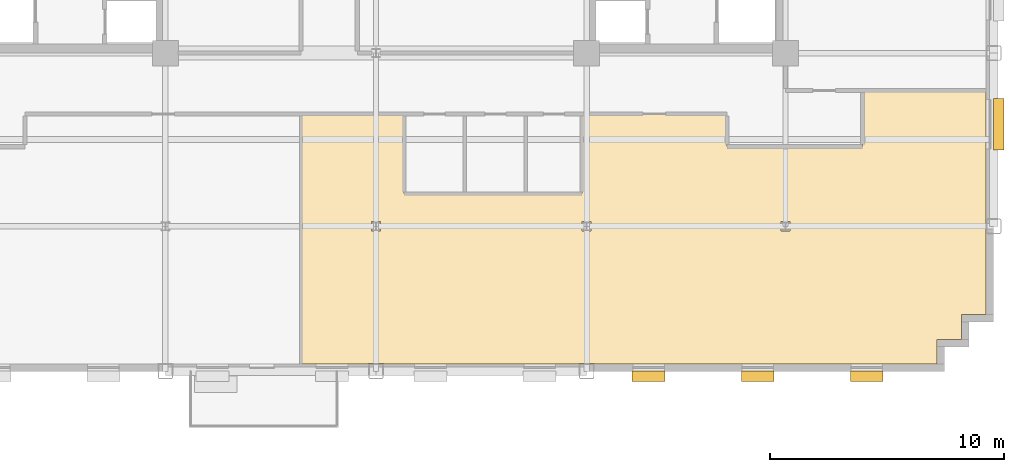
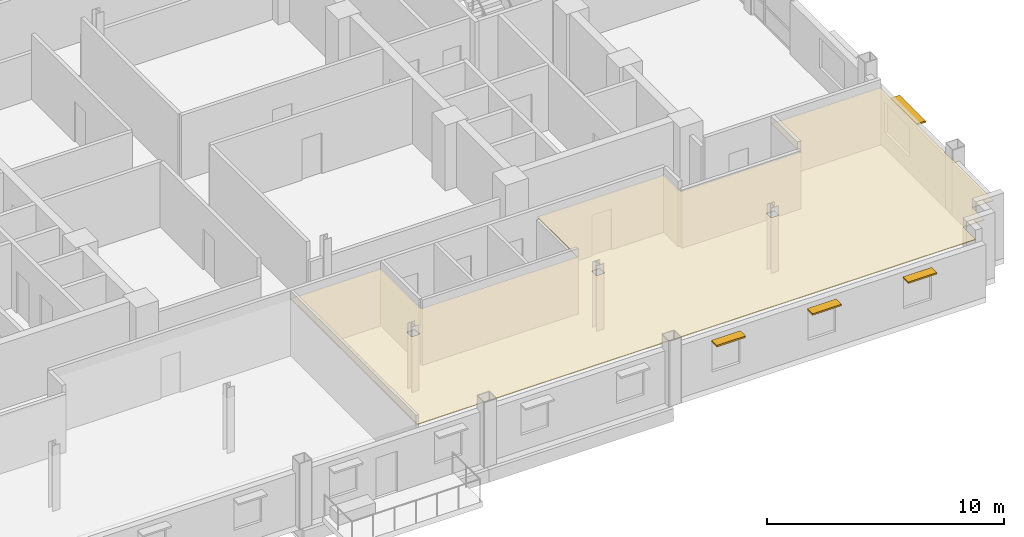
# One storey, part 15 of 17: 4 shading devices, 1 covering.
"""IFC4 building model written with IfcOpenShell, lengths in metres."""

from ifc_helpers import new_model, si_unit, direction, frame, origin, origin_2d, place, context, subcontext, project, spatial, polyline, rectangle, outline, extrude, source, transform, mapped, material, layer, layer_set, type_object, type_shapes, element, save


model = new_model("IFC4")

# Units and contexts
model_context = context("Model", 3, precision=1e-05, world=origin(), true_north=direction((0.0, 1.0)))
body_context = subcontext(model_context, "Body", "Model", "MODEL_VIEW")
ifc_project = project(units=[si_unit("LENGTHUNIT", "METRE"), si_unit("AREAUNIT", "SQUARE_METRE"), si_unit("VOLUMEUNIT", "CUBIC_METRE"), si_unit("PLANEANGLEUNIT", "RADIAN"), si_unit("MASSUNIT", "GRAM", prefix="KILO")], contexts=[model_context])

# Site, building, storey
site_placement = place(None, origin())
site = spatial("IfcSite", under=ifc_project, at=site_placement, CompositionType="ELEMENT")
building_placement = place(site_placement, origin())
building = spatial("IfcBuilding", under=site, at=building_placement, Name="Nuvemarco Arch Tower", CompositionType="ELEMENT")
storey_placement = place(building_placement, frame((0.0, 0.0, 120.199951171875)))
storey = spatial("IfcBuildingStorey", under=building, at=storey_placement, Name="L31", CompositionType="ELEMENT", Elevation=120.199951171875)

# Covering
ifc_material_1 = material(Name="Mineral acoustic ceiling tile")
ifc_layer = layer(ifc_material_1, 0.0400390625, Name="COV-ACOUSTIC-CLG")
ifc_layer_set = layer_set([ifc_layer], Name="Mineral acoustic ceiling tile")
covering_type = type_object("IfcCoveringType", Name="COV-ACOUSTIC-CLG", PredefinedType="CEILING", material=ifc_layer_set)
covering_placement = place(storey_placement, frame((0.0, 0.0, 2.85009765625)))
element("IfcCovering", 1, at=covering_placement, inside=storey, type_object=covering_type, Name="L31 suspended acoustic ceiling 2", PredefinedType="CEILING", context=body_context, shape_type="SweptSolid", body=[
    extrude(outline(polyline([(23.97998046875, -22.8798828125), (9.340087890625, -22.8798828125), (9.340087890625, -22.860107421875), (8.659912109375, -22.860107421875), (8.659912109375, -22.8798828125), (0.340087890625, -22.8798828125), (0.340087890625, -22.860107421875), (-0.340087890625, -22.860107421875), (-0.340087890625, -22.8798828125), (-3.199951171875, -22.8798828125), (-3.199951171875, -12.199951171875), (-0.800048828125, -12.199951171875), (1.199951171875, -12.199951171875), (1.199951171875, -15.60009765625), (3.800048828125, -15.60009765625), (6.39990234375, -15.60009765625), (8.800048828125, -15.60009765625), (8.800048828125, -12.199951171875), (15.0, -12.199951171875), (15.0, -13.60009765625), (20.800048828125, -13.60009765625), (20.800048828125, -11.199951171875), (26.080078125, -11.199951171875), (26.080078125, -16.659912109375), (26.06005859375, -16.659912109375), (26.06005859375, -17.340087890625), (26.080078125, -17.340087890625), (26.080078125, -20.780029296875), (25.030029296875, -20.780029296875), (25.030029296875, -21.830078125), (23.97998046875, -21.830078125), (23.97998046875, -22.8798828125)]), holes=[polyline([(0.195068359375, -17.195068359375), (0.195068359375, -16.804931640625), (-0.195068359375, -16.804931640625), (-0.195068359375, -17.195068359375), (0.195068359375, -17.195068359375)]), polyline([(9.195068359375, -17.195068359375), (9.195068359375, -16.804931640625), (8.804931640625, -16.804931640625), (8.804931640625, -17.195068359375), (9.195068359375, -17.195068359375)]), polyline([(17.695068359375, -17.195068359375), (17.695068359375, -16.804931640625), (17.304931640625, -16.804931640625), (17.304931640625, -17.195068359375), (17.695068359375, -17.195068359375)])]), origin(), (0.0, 0.0, 1.0), 0.0400390625),
])

# Shading devices
ifc_material_2 = material(Name="Anodised aluminium 6063-T6", Category="aluminium")
shading_device_type_1 = type_object("IfcShadingDeviceType", Name="SHD-BRISE-SOLEIL", PredefinedType="USERDEFINED", material=ifc_material_2)
shared_shape_1 = source(origin(), body_context, "Body", "SweptSolid", [
    extrude(rectangle(XDim=2.199951171875, YDim=0.449951171875, at=origin_2d()), origin(), (0.0, 0.0, 1.0), 0.080078125),
])
type_shapes(shading_device_type_1, [shared_shape_1])
shading_device_placement = place(storey_placement, frame((26.614990234375, -12.64208984375, 2.364990234375), z_axis=(0.0, 0.0, 1.0), x_axis=(0.0, 1.0, 0.0)))
element("IfcShadingDevice", 2, at=shading_device_placement, inside=storey, type_object=shading_device_type_1, Name="L31 horizontal brise-soleil sunshade", ObjectType="SUNSHADE", PredefinedType="USERDEFINED", context=body_context, shape_type="MappedRepresentation", body=[
    mapped(shared_shape_1, transform((0.0, 0.0, 0.0), scale=1.0)),
])
shading_device_type_2 = type_object("IfcShadingDeviceType", Name="SHD-BRISE-NARROW", PredefinedType="USERDEFINED", material=ifc_material_2)
shared_shape_2 = source(origin(), body_context, "Body", "SweptSolid", [
    extrude(rectangle(XDim=1.39990234375, YDim=0.449951171875, at=origin_2d()), origin(), (0.0, 0.0, 1.0), 0.080078125),
])
type_shapes(shading_device_type_2, [shared_shape_2])
for number, where, z_axis, x_axis, name in (
    (3, (11.64990234375, -23.4150390625, 2.364990234375), (0.0, 0.0, 1.0), (1.0, 0.0, 0.0), "L31 horizontal brise-soleil sunshade"),
    (4, (16.31005859375, -23.4150390625, 2.364990234375), (0.0, 0.0, 1.0), (1.0, 0.0, 0.0), "L31 horizontal brise-soleil sunshade"),
    (5, (20.969970703125, -23.4150390625, 2.364990234375), (0.0, 0.0, 1.0), (1.0, 0.0, 0.0), "L31 horizontal brise-soleil sunshade"),
):
    element("IfcShadingDevice", number, at=place(storey_placement, frame(where, z_axis=z_axis, x_axis=x_axis)), inside=storey, type_object=shading_device_type_2, Name=name, ObjectType="SUNSHADE", PredefinedType="USERDEFINED", context=body_context, shape_type="MappedRepresentation", body=[
        mapped(shared_shape_2, transform((0.0, 0.0, 0.0), scale=1.0)),
    ])

save(model, "model.ifc")
